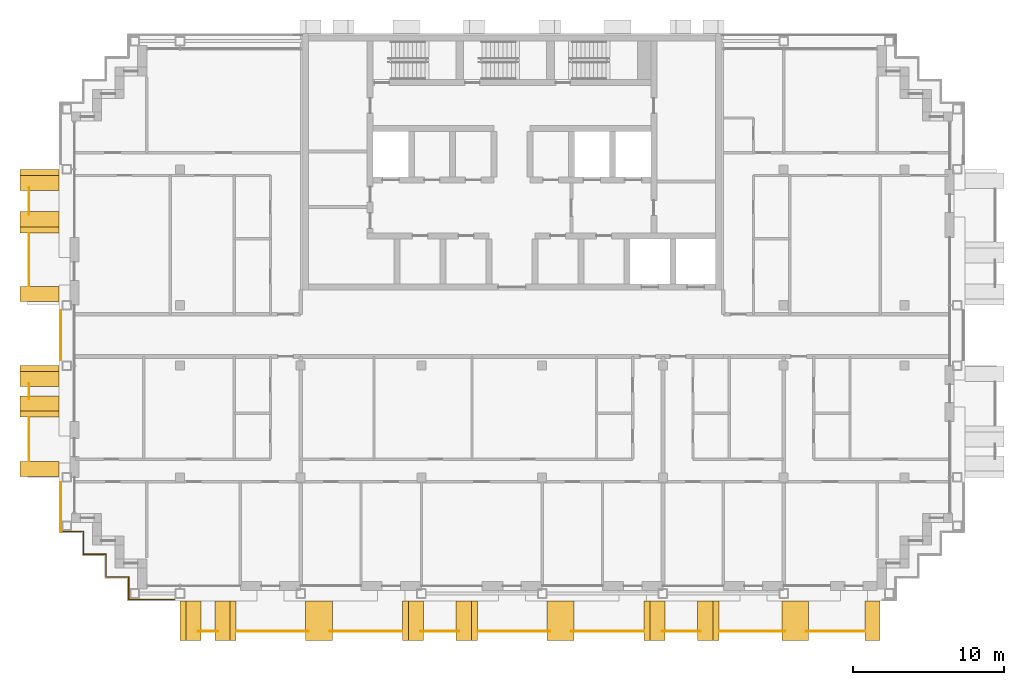
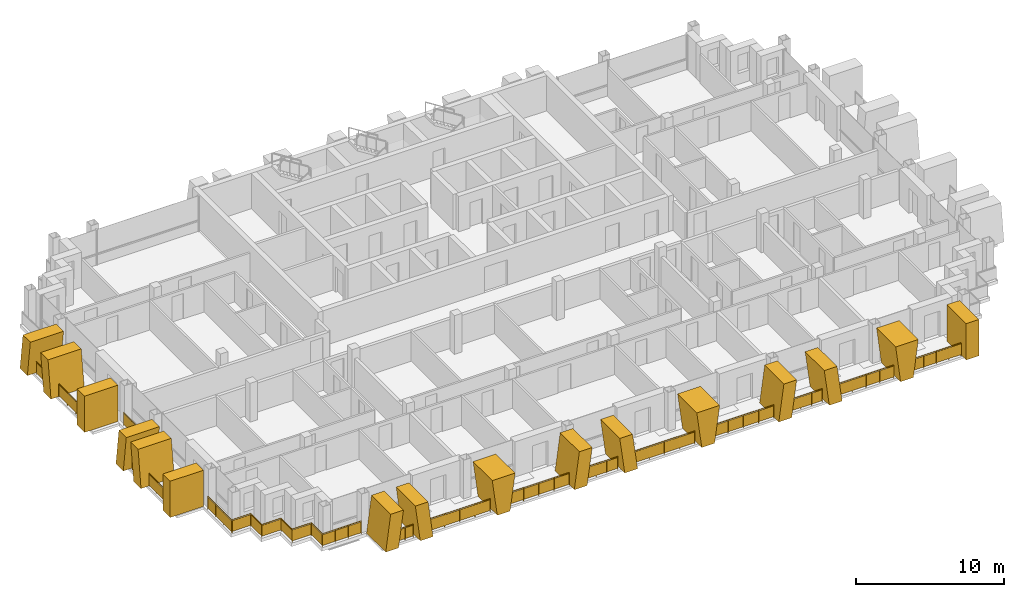
# One storey, part 13 of 16: 16 railings, 16 shading devices.
"""IFC4 building model written with IfcOpenShell, lengths in metres."""

from ifc_helpers import new_model, si_unit, direction, frame, origin, origin_2d, place, context, subcontext, project, spatial, polyline, rectangle, circle, outline, extrude, material, layer, layer_set, type_object, element, save


model = new_model("IFC4")

# Units and contexts
model_context = context("Model", 3, precision=1e-05, world=origin(), true_north=direction((0.0, 1.0)))
body_context = subcontext(model_context, "Body", "Model", "MODEL_VIEW")
ifc_project = project(units=[si_unit("LENGTHUNIT", "METRE"), si_unit("AREAUNIT", "SQUARE_METRE"), si_unit("VOLUMEUNIT", "CUBIC_METRE"), si_unit("PLANEANGLEUNIT", "RADIAN"), si_unit("MASSUNIT", "GRAM", prefix="KILO")], contexts=[model_context])

# Site, building, storey
site_placement = place(None, origin())
site = spatial("IfcSite", under=ifc_project, at=site_placement, CompositionType="ELEMENT")
building_placement = place(site_placement, origin())
building = spatial("IfcBuilding", under=site, at=building_placement, Name="Vidyagriha Tower", CompositionType="ELEMENT")
storey_placement = place(building_placement, frame((0.0, 0.0, 207.60009765625)))
storey = spatial("IfcBuildingStorey", under=building, at=storey_placement, Name="L53", CompositionType="ELEMENT", Elevation=207.60009765625)

# Railings
ifc_material_1 = material(Name="Steel ASTM A500 Grade C black painted", Category="steel")
railing_type_1 = type_object("IfcRailingType", Name="Balcony guard 1100", PredefinedType="BALUSTRADE", material=ifc_material_1)
railing_1_placement = place(storey_placement, frame((-32.0, 9.796630859375, 0.0)))
element("IfcRailing", 1, at=railing_1_placement, inside=storey, type_object=railing_type_1, Name="Balcony guard L53 R16.1-1", PredefinedType="BALUSTRADE", context=body_context, shape_type="SweptSolid", body=[
    extrude(circle(Radius=0.02490234375, at=origin_2d()), frame((0.0, 0.0, 1.0751953125), z_axis=(0.0, -1.0, 0.0), x_axis=(1.0, 0.0, 0.0)), (0.0, 0.0, 1.0), 1.793212890625),
    extrude(circle(Radius=0.02001953125, at=origin_2d()), origin(), (0.0, 0.0, 1.0), 1.050048828125),
    extrude(circle(Radius=0.02001953125, at=origin_2d()), frame((0.0, -0.896484375, 0.0)), (0.0, 0.0, 1.0), 1.050048828125),
    extrude(circle(Radius=0.02001953125, at=origin_2d()), frame((0.0, -1.793212890625, 0.0)), (0.0, 0.0, 1.0), 1.050048828125),
    extrude(rectangle(XDim=0.010009765625, YDim=0.900146484375, at=origin_2d()), frame((0.0, 0.0, 0.550048828125), z_axis=(0.0, -1.0, 0.0), x_axis=(1.0, 0.0, 0.0)), (0.0, 0.0, 1.0), 1.793212890625),
])
railing_2_placement = place(storey_placement, frame((-32.0, 6.75, 0.0)))
element("IfcRailing", 2, at=railing_2_placement, inside=storey, type_object=railing_type_1, Name="Balcony guard L53 R16.1-2", PredefinedType="BALUSTRADE", context=body_context, shape_type="SweptSolid", body=[
    extrude(circle(Radius=0.02490234375, at=origin_2d()), frame((0.0, 0.0, 1.0751953125), z_axis=(0.0, -1.0, 0.0), x_axis=(1.0, 0.0, 0.0)), (0.0, 0.0, 1.0), 3.449951171875),
    extrude(circle(Radius=0.02001953125, at=origin_2d()), origin(), (0.0, 0.0, 1.0), 1.050048828125),
    extrude(circle(Radius=0.02001953125, at=origin_2d()), frame((0.0, -1.14990234375, 0.0)), (0.0, 0.0, 1.0), 1.050048828125),
    extrude(circle(Radius=0.02001953125, at=origin_2d()), frame((0.0, -2.300048828125, 0.0)), (0.0, 0.0, 1.0), 1.050048828125),
    extrude(circle(Radius=0.02001953125, at=origin_2d()), frame((0.0, -3.449951171875, 0.0)), (0.0, 0.0, 1.0), 1.050048828125),
    extrude(rectangle(XDim=0.010009765625, YDim=0.900146484375, at=origin_2d()), frame((0.0, 0.0, 0.550048828125), z_axis=(0.0, -1.0, 0.0), x_axis=(1.0, 0.0, 0.0)), (0.0, 0.0, 1.0), 3.449951171875),
])
railing_3_placement = place(storey_placement, frame((-32.0, -3.203369140625, 0.0)))
element("IfcRailing", 3, at=railing_3_placement, inside=storey, type_object=railing_type_1, Name="Balcony guard L53 R16.2-1", PredefinedType="BALUSTRADE", context=body_context, shape_type="SweptSolid", body=[
    extrude(circle(Radius=0.02490234375, at=origin_2d()), frame((0.0, 0.0, 1.0751953125), z_axis=(0.0, -1.0, 0.0), x_axis=(1.0, 0.0, 0.0)), (0.0, 0.0, 1.0), 0.993408203125),
    extrude(circle(Radius=0.02001953125, at=origin_2d()), origin(), (0.0, 0.0, 1.0), 1.050048828125),
    extrude(circle(Radius=0.02001953125, at=origin_2d()), frame((0.0, -0.993408203125, 0.0)), (0.0, 0.0, 1.0), 1.050048828125),
    extrude(rectangle(XDim=0.010009765625, YDim=0.900146484375, at=origin_2d()), frame((0.0, 0.0, 0.550048828125), z_axis=(0.0, -1.0, 0.0), x_axis=(1.0, 0.0, 0.0)), (0.0, 0.0, 1.0), 0.993408203125),
])
railing_4_placement = place(storey_placement, frame((-32.0, -5.449951171875, 0.0)))
element("IfcRailing", 4, at=railing_4_placement, inside=storey, type_object=railing_type_1, Name="Balcony guard L53 R16.2-2", PredefinedType="BALUSTRADE", context=body_context, shape_type="SweptSolid", body=[
    extrude(circle(Radius=0.02490234375, at=origin_2d()), frame((0.0, 0.0, 1.0751953125), z_axis=(0.0, -1.0, 0.0), x_axis=(1.0, 0.0, 0.0)), (0.0, 0.0, 1.0), 2.85009765625),
    extrude(circle(Radius=0.02001953125, at=origin_2d()), origin(), (0.0, 0.0, 1.0), 1.050048828125),
    extrude(circle(Radius=0.02001953125, at=origin_2d()), frame((0.0, -0.949951171875, 0.0)), (0.0, 0.0, 1.0), 1.050048828125),
    extrude(circle(Radius=0.02001953125, at=origin_2d()), frame((0.0, -1.900146484375, 0.0)), (0.0, 0.0, 1.0), 1.050048828125),
    extrude(circle(Radius=0.02001953125, at=origin_2d()), frame((0.0, -2.85009765625, 0.0)), (0.0, 0.0, 1.0), 1.050048828125),
    extrude(rectangle(XDim=0.010009765625, YDim=0.900146484375, at=origin_2d()), frame((0.0, 0.0, 0.550048828125), z_axis=(0.0, -1.0, 0.0), x_axis=(1.0, 0.0, 0.0)), (0.0, 0.0, 1.0), 2.85009765625),
])
railing_5_placement = place(storey_placement, frame((-20.80224609375, -19.60009765625, 0.0)))
element("IfcRailing", 5, at=railing_5_placement, inside=storey, type_object=railing_type_1, Name="Balcony guard L53 R23.1-1", PredefinedType="BALUSTRADE", context=body_context, shape_type="SweptSolid", body=[
    extrude(circle(Radius=0.02490234375, at=origin_2d()), frame((0.0, 0.0, 1.0751953125), z_axis=(1.0, 0.0, 0.0), x_axis=(0.0, 1.0, 0.0)), (0.0, 0.0, 1.0), 1.304443359375),
    extrude(circle(Radius=0.02001953125, at=origin_2d()), origin(), (0.0, 0.0, 1.0), 1.050048828125),
    extrude(circle(Radius=0.02001953125, at=origin_2d()), frame((0.65234375, 0.0, 0.0)), (0.0, 0.0, 1.0), 1.050048828125),
    extrude(circle(Radius=0.02001953125, at=origin_2d()), frame((1.304443359375, 0.0, 0.0)), (0.0, 0.0, 1.0), 1.050048828125),
    extrude(rectangle(XDim=0.010009765625, YDim=0.900146484375, at=origin_2d()), frame((0.0, 0.0, 0.550048828125), z_axis=(1.0, 0.0, 0.0), x_axis=(0.0, 1.0, 0.0)), (0.0, 0.0, 1.0), 1.304443359375),
])
railing_6_placement = place(storey_placement, frame((-18.25, -19.60009765625, 0.0)))
element("IfcRailing", 6, at=railing_6_placement, inside=storey, type_object=railing_type_1, Name="Balcony guard L53 R23.1-2", PredefinedType="BALUSTRADE", context=body_context, shape_type="SweptSolid", body=[
    extrude(circle(Radius=0.02490234375, at=origin_2d()), frame((0.0, 0.0, 1.0751953125), z_axis=(1.0, 0.0, 0.0), x_axis=(0.0, 1.0, 0.0)), (0.0, 0.0, 1.0), 4.773681640625),
    extrude(circle(Radius=0.02001953125, at=origin_2d()), origin(), (0.0, 0.0, 1.0), 1.050048828125),
    extrude(circle(Radius=0.02001953125, at=origin_2d()), frame((1.193359375, 0.0, 0.0)), (0.0, 0.0, 1.0), 1.050048828125),
    extrude(circle(Radius=0.02001953125, at=origin_2d()), frame((2.38671875, 0.0, 0.0)), (0.0, 0.0, 1.0), 1.050048828125),
    extrude(circle(Radius=0.02001953125, at=origin_2d()), frame((3.580322265625, 0.0, 0.0)), (0.0, 0.0, 1.0), 1.050048828125),
    extrude(circle(Radius=0.02001953125, at=origin_2d()), frame((4.773681640625, 0.0, 0.0)), (0.0, 0.0, 1.0), 1.050048828125),
    extrude(rectangle(XDim=0.010009765625, YDim=0.900146484375, at=origin_2d()), frame((0.0, 0.0, 0.550048828125), z_axis=(1.0, 0.0, 0.0), x_axis=(0.0, 1.0, 0.0)), (0.0, 0.0, 1.0), 4.773681640625),
])
railing_7_placement = place(storey_placement, frame((-12.073486328125, -19.60009765625, 0.0)))
element("IfcRailing", 7, at=railing_7_placement, inside=storey, type_object=railing_type_1, Name="Balcony guard L53 R23.1-3", PredefinedType="BALUSTRADE", context=body_context, shape_type="SweptSolid", body=[
    extrude(circle(Radius=0.02490234375, at=origin_2d()), frame((0.0, 0.0, 1.0751953125), z_axis=(1.0, 0.0, 0.0), x_axis=(0.0, 1.0, 0.0)), (0.0, 0.0, 1.0), 4.7734375),
    extrude(circle(Radius=0.02001953125, at=origin_2d()), origin(), (0.0, 0.0, 1.0), 1.050048828125),
    extrude(circle(Radius=0.02001953125, at=origin_2d()), frame((1.193359375, 0.0, 0.0)), (0.0, 0.0, 1.0), 1.050048828125),
    extrude(circle(Radius=0.02001953125, at=origin_2d()), frame((2.38671875, 0.0, 0.0)), (0.0, 0.0, 1.0), 1.050048828125),
    extrude(circle(Radius=0.02001953125, at=origin_2d()), frame((3.580078125, 0.0, 0.0)), (0.0, 0.0, 1.0), 1.050048828125),
    extrude(circle(Radius=0.02001953125, at=origin_2d()), frame((4.7734375, 0.0, 0.0)), (0.0, 0.0, 1.0), 1.050048828125),
    extrude(rectangle(XDim=0.010009765625, YDim=0.900146484375, at=origin_2d()), frame((0.0, 0.0, 0.550048828125), z_axis=(1.0, 0.0, 0.0), x_axis=(0.0, 1.0, 0.0)), (0.0, 0.0, 1.0), 4.7734375),
])
railing_8_placement = place(storey_placement, frame((-6.048583984375, -19.60009765625, 0.0)))
element("IfcRailing", 8, at=railing_8_placement, inside=storey, type_object=railing_type_1, Name="Balcony guard L53 R23.1-4", PredefinedType="BALUSTRADE", context=body_context, shape_type="SweptSolid", body=[
    extrude(circle(Radius=0.02490234375, at=origin_2d()), frame((0.0, 0.0, 1.0751953125), z_axis=(1.0, 0.0, 0.0), x_axis=(0.0, 1.0, 0.0)), (0.0, 0.0, 1.0), 2.547119140625),
    extrude(circle(Radius=0.02001953125, at=origin_2d()), origin(), (0.0, 0.0, 1.0), 1.050048828125),
    extrude(circle(Radius=0.02001953125, at=origin_2d()), frame((0.84912109375, 0.0, 0.0)), (0.0, 0.0, 1.0), 1.050048828125),
    extrude(circle(Radius=0.02001953125, at=origin_2d()), frame((1.697998046875, 0.0, 0.0)), (0.0, 0.0, 1.0), 1.050048828125),
    extrude(circle(Radius=0.02001953125, at=origin_2d()), frame((2.547119140625, 0.0, 0.0)), (0.0, 0.0, 1.0), 1.050048828125),
    extrude(rectangle(XDim=0.010009765625, YDim=0.900146484375, at=origin_2d()), frame((0.0, 0.0, 0.550048828125), z_axis=(1.0, 0.0, 0.0), x_axis=(0.0, 1.0, 0.0)), (0.0, 0.0, 1.0), 2.547119140625),
])
railing_9_placement = place(storey_placement, frame((-2.25, -19.60009765625, 0.0)))
element("IfcRailing", 9, at=railing_9_placement, inside=storey, type_object=railing_type_1, Name="Balcony guard L53 R23.1-5", PredefinedType="BALUSTRADE", context=body_context, shape_type="SweptSolid", body=[
    extrude(circle(Radius=0.02490234375, at=origin_2d()), frame((0.0, 0.0, 1.0751953125), z_axis=(1.0, 0.0, 0.0), x_axis=(0.0, 1.0, 0.0)), (0.0, 0.0, 1.0), 4.773681640625),
    extrude(circle(Radius=0.02001953125, at=origin_2d()), origin(), (0.0, 0.0, 1.0), 1.050048828125),
    extrude(circle(Radius=0.02001953125, at=origin_2d()), frame((1.193359375, 0.0, 0.0)), (0.0, 0.0, 1.0), 1.050048828125),
    extrude(circle(Radius=0.02001953125, at=origin_2d()), frame((2.38671875, 0.0, 0.0)), (0.0, 0.0, 1.0), 1.050048828125),
    extrude(circle(Radius=0.02001953125, at=origin_2d()), frame((3.580322265625, 0.0, 0.0)), (0.0, 0.0, 1.0), 1.050048828125),
    extrude(circle(Radius=0.02001953125, at=origin_2d()), frame((4.773681640625, 0.0, 0.0)), (0.0, 0.0, 1.0), 1.050048828125),
    extrude(rectangle(XDim=0.010009765625, YDim=0.900146484375, at=origin_2d()), frame((0.0, 0.0, 0.550048828125), z_axis=(1.0, 0.0, 0.0), x_axis=(0.0, 1.0, 0.0)), (0.0, 0.0, 1.0), 4.773681640625),
])
railing_10_placement = place(storey_placement, frame((3.926513671875, -19.60009765625, 0.0)))
element("IfcRailing", 10, at=railing_10_placement, inside=storey, type_object=railing_type_1, Name="Balcony guard L53 R23.1-6", PredefinedType="BALUSTRADE", context=body_context, shape_type="SweptSolid", body=[
    extrude(circle(Radius=0.02490234375, at=origin_2d()), frame((0.0, 0.0, 1.0751953125), z_axis=(1.0, 0.0, 0.0), x_axis=(0.0, 1.0, 0.0)), (0.0, 0.0, 1.0), 4.7734375),
    extrude(circle(Radius=0.02001953125, at=origin_2d()), origin(), (0.0, 0.0, 1.0), 1.050048828125),
    extrude(circle(Radius=0.02001953125, at=origin_2d()), frame((1.193359375, 0.0, 0.0)), (0.0, 0.0, 1.0), 1.050048828125),
    extrude(circle(Radius=0.02001953125, at=origin_2d()), frame((2.38671875, 0.0, 0.0)), (0.0, 0.0, 1.0), 1.050048828125),
    extrude(circle(Radius=0.02001953125, at=origin_2d()), frame((3.580078125, 0.0, 0.0)), (0.0, 0.0, 1.0), 1.050048828125),
    extrude(circle(Radius=0.02001953125, at=origin_2d()), frame((4.7734375, 0.0, 0.0)), (0.0, 0.0, 1.0), 1.050048828125),
    extrude(rectangle(XDim=0.010009765625, YDim=0.900146484375, at=origin_2d()), frame((0.0, 0.0, 0.550048828125), z_axis=(1.0, 0.0, 0.0), x_axis=(0.0, 1.0, 0.0)), (0.0, 0.0, 1.0), 4.7734375),
])
railing_11_placement = place(storey_placement, frame((9.951416015625, -19.60009765625, 0.0)))
element("IfcRailing", 11, at=railing_11_placement, inside=storey, type_object=railing_type_1, Name="Balcony guard L53 R23.1-7", PredefinedType="BALUSTRADE", context=body_context, shape_type="SweptSolid", body=[
    extrude(circle(Radius=0.02490234375, at=origin_2d()), frame((0.0, 0.0, 1.0751953125), z_axis=(1.0, 0.0, 0.0), x_axis=(0.0, 1.0, 0.0)), (0.0, 0.0, 1.0), 2.547119140625),
    extrude(circle(Radius=0.02001953125, at=origin_2d()), origin(), (0.0, 0.0, 1.0), 1.050048828125),
    extrude(circle(Radius=0.02001953125, at=origin_2d()), frame((0.84912109375, 0.0, 0.0)), (0.0, 0.0, 1.0), 1.050048828125),
    extrude(circle(Radius=0.02001953125, at=origin_2d()), frame((1.697998046875, 0.0, 0.0)), (0.0, 0.0, 1.0), 1.050048828125),
    extrude(circle(Radius=0.02001953125, at=origin_2d()), frame((2.547119140625, 0.0, 0.0)), (0.0, 0.0, 1.0), 1.050048828125),
    extrude(rectangle(XDim=0.010009765625, YDim=0.900146484375, at=origin_2d()), frame((0.0, 0.0, 0.550048828125), z_axis=(1.0, 0.0, 0.0), x_axis=(0.0, 1.0, 0.0)), (0.0, 0.0, 1.0), 2.547119140625),
])
railing_12_placement = place(storey_placement, frame((13.75, -19.60009765625, 0.0)))
element("IfcRailing", 12, at=railing_12_placement, inside=storey, type_object=railing_type_1, Name="Balcony guard L53 R23.1-8", PredefinedType="BALUSTRADE", context=body_context, shape_type="SweptSolid", body=[
    extrude(circle(Radius=0.02490234375, at=origin_2d()), frame((0.0, 0.0, 1.0751953125), z_axis=(1.0, 0.0, 0.0), x_axis=(0.0, 1.0, 0.0)), (0.0, 0.0, 1.0), 4.328857421875),
    extrude(circle(Radius=0.02001953125, at=origin_2d()), origin(), (0.0, 0.0, 1.0), 1.050048828125),
    extrude(circle(Radius=0.02001953125, at=origin_2d()), frame((1.082275390625, 0.0, 0.0)), (0.0, 0.0, 1.0), 1.050048828125),
    extrude(circle(Radius=0.02001953125, at=origin_2d()), frame((2.16455078125, 0.0, 0.0)), (0.0, 0.0, 1.0), 1.050048828125),
    extrude(circle(Radius=0.02001953125, at=origin_2d()), frame((3.24658203125, 0.0, 0.0)), (0.0, 0.0, 1.0), 1.050048828125),
    extrude(circle(Radius=0.02001953125, at=origin_2d()), frame((4.328857421875, 0.0, 0.0)), (0.0, 0.0, 1.0), 1.050048828125),
    extrude(rectangle(XDim=0.010009765625, YDim=0.900146484375, at=origin_2d()), frame((0.0, 0.0, 0.550048828125), z_axis=(1.0, 0.0, 0.0), x_axis=(0.0, 1.0, 0.0)), (0.0, 0.0, 1.0), 4.328857421875),
])
railing_13_placement = place(storey_placement, frame((19.47119140625, -19.60009765625, 0.0)))
element("IfcRailing", 13, at=railing_13_placement, inside=storey, type_object=railing_type_1, Name="Balcony guard L53 R23.1-9", PredefinedType="BALUSTRADE", context=body_context, shape_type="SweptSolid", body=[
    extrude(circle(Radius=0.02490234375, at=origin_2d()), frame((0.0, 0.0, 1.0751953125), z_axis=(1.0, 0.0, 0.0), x_axis=(0.0, 1.0, 0.0)), (0.0, 0.0, 1.0), 3.87890625),
    extrude(circle(Radius=0.02001953125, at=origin_2d()), origin(), (0.0, 0.0, 1.0), 1.050048828125),
    extrude(circle(Radius=0.02001953125, at=origin_2d()), frame((0.9697265625, 0.0, 0.0)), (0.0, 0.0, 1.0), 1.050048828125),
    extrude(circle(Radius=0.02001953125, at=origin_2d()), frame((1.939453125, 0.0, 0.0)), (0.0, 0.0, 1.0), 1.050048828125),
    extrude(circle(Radius=0.02001953125, at=origin_2d()), frame((2.9091796875, 0.0, 0.0)), (0.0, 0.0, 1.0), 1.050048828125),
    extrude(circle(Radius=0.02001953125, at=origin_2d()), frame((3.87890625, 0.0, 0.0)), (0.0, 0.0, 1.0), 1.050048828125),
    extrude(rectangle(XDim=0.010009765625, YDim=0.900146484375, at=origin_2d()), frame((0.0, 0.0, 0.550048828125), z_axis=(1.0, 0.0, 0.0), x_axis=(0.0, 1.0, 0.0)), (0.0, 0.0, 1.0), 3.87890625),
])

# Shading devices
ifc_material_2 = material(Name="Precast concrete C40/50 with buff brick facing", Category="concrete")
ifc_layer_1 = layer(ifc_material_2, 1.0)
ifc_layer_set_1 = layer_set([ifc_layer_1], Name="Precast concrete C40/50 with buff brick facing")
shading_device_type_1 = type_object("IfcShadingDeviceType", Name="Brick-faced blade fin arm leaning 8 degrees", PredefinedType="USERDEFINED", material=ifc_layer_set_1)
shading_device_1_placement = place(storey_placement, frame((-31.300048828125, 11.0, 0.0), z_axis=(0.0, 0.0, 1.0), x_axis=(0.0, -1.0, 0.0)))
element("IfcShadingDevice", 14, at=shading_device_1_placement, inside=storey, type_object=shading_device_type_1, Name="Leaning blade fin L53 R16.320a", ObjectType="BLADE FIN", PredefinedType="USERDEFINED", context=body_context, shape_type="SweptSolid", body=[
    extrude(outline(polyline([(0.0, 0.0), (1.0, 0.0), (1.39990234375, 3.0), (0.39990234375, 3.0), (0.0, 0.0)])), frame((0.0, 1.300048828125, 0.0), z_axis=(0.0, -1.0, 0.0), x_axis=(1.0, 0.0, 0.0)), (0.0, 0.0, 1.0), 2.60009765625),
])
shading_device_2_placement = place(storey_placement, frame((-31.300048828125, 8.199951171875, 0.0), z_axis=(0.0, 0.0, 1.0), x_axis=(0.0, -1.0, 0.0)))
element("IfcShadingDevice", 15, at=shading_device_2_placement, inside=storey, type_object=shading_device_type_1, Name="Leaning blade fin L53 R16.320b", ObjectType="BLADE FIN", PredefinedType="USERDEFINED", context=body_context, shape_type="SweptSolid", body=[
    extrude(outline(polyline([(0.39990234375, 0.0), (1.39990234375, 0.0), (1.0, 3.0), (0.0, 3.0), (0.39990234375, 0.0)])), frame((0.0, 1.300048828125, 0.0), z_axis=(0.0, -1.0, 0.0), x_axis=(1.0, 0.0, 0.0)), (0.0, 0.0, 1.0), 2.60009765625),
])
shading_device_3_placement = place(storey_placement, frame((-31.300048828125, -2.0, 0.0), z_axis=(0.0, 0.0, 1.0), x_axis=(0.0, -1.0, 0.0)))
element("IfcShadingDevice", 16, at=shading_device_3_placement, inside=storey, type_object=shading_device_type_1, Name="Leaning blade fin L53 R16.1620a", ObjectType="BLADE FIN", PredefinedType="USERDEFINED", context=body_context, shape_type="SweptSolid", body=[
    extrude(outline(polyline([(0.0, 0.0), (1.0, 0.0), (1.39990234375, 3.0), (0.39990234375, 3.0), (0.0, 0.0)])), frame((0.0, 1.300048828125, 0.0), z_axis=(0.0, -1.0, 0.0), x_axis=(1.0, 0.0, 0.0)), (0.0, 0.0, 1.0), 2.60009765625),
])
shading_device_4_placement = place(storey_placement, frame((-31.300048828125, -4.0, 0.0), z_axis=(0.0, 0.0, 1.0), x_axis=(0.0, -1.0, 0.0)))
element("IfcShadingDevice", 17, at=shading_device_4_placement, inside=storey, type_object=shading_device_type_1, Name="Leaning blade fin L53 R16.1620b", ObjectType="BLADE FIN", PredefinedType="USERDEFINED", context=body_context, shape_type="SweptSolid", body=[
    extrude(outline(polyline([(0.39990234375, 0.0), (1.39990234375, 0.0), (1.0, 3.0), (0.0, 3.0), (0.39990234375, 0.0)])), frame((0.0, 1.300048828125, 0.0), z_axis=(0.0, -1.0, 0.0), x_axis=(1.0, 0.0, 0.0)), (0.0, 0.0, 1.0), 2.60009765625),
])
shading_device_5_placement = place(storey_placement, frame((-22.0, -18.89990234375, 0.0)))
element("IfcShadingDevice", 18, at=shading_device_5_placement, inside=storey, type_object=shading_device_type_1, Name="Leaning blade fin L53 R23.220a", ObjectType="BLADE FIN", PredefinedType="USERDEFINED", context=body_context, shape_type="SweptSolid", body=[
    extrude(outline(polyline([(0.0, 0.0), (1.0, 0.0), (1.3857421875, 3.0), (0.3857421875, 3.0), (0.0, 0.0)])), frame((0.0, 1.300048828125, 0.0), z_axis=(0.0, -1.0, 0.0), x_axis=(1.0, 0.0, 0.0)), (0.0, 0.0, 1.0), 2.60009765625),
])
shading_device_6_placement = place(storey_placement, frame((-19.685791015625, -18.89990234375, 0.0)))
element("IfcShadingDevice", 19, at=shading_device_6_placement, inside=storey, type_object=shading_device_type_1, Name="Leaning blade fin L53 R23.220b", ObjectType="BLADE FIN", PredefinedType="USERDEFINED", context=body_context, shape_type="SweptSolid", body=[
    extrude(outline(polyline([(0.3857421875, 0.0), (1.3857421875, 0.0), (1.0, 3.0), (0.0, 3.0), (0.3857421875, 0.0)])), frame((0.0, 1.300048828125, 0.0), z_axis=(0.0, -1.0, 0.0), x_axis=(1.0, 0.0, 0.0)), (0.0, 0.0, 1.0), 2.60009765625),
])
shading_device_7_placement = place(storey_placement, frame((-7.25, -18.89990234375, 0.0)))
element("IfcShadingDevice", 20, at=shading_device_7_placement, inside=storey, type_object=shading_device_type_1, Name="Leaning blade fin L53 R23.1820a", ObjectType="BLADE FIN", PredefinedType="USERDEFINED", context=body_context, shape_type="SweptSolid", body=[
    extrude(outline(polyline([(0.0, 0.0), (1.0, 0.0), (1.39501953125, 3.0), (0.39501953125, 3.0), (0.0, 0.0)])), frame((0.0, 1.300048828125, 0.0), z_axis=(0.0, -1.0, 0.0), x_axis=(1.0, 0.0, 0.0)), (0.0, 0.0, 1.0), 2.60009765625),
])
shading_device_8_placement = place(storey_placement, frame((-3.695068359375, -18.89990234375, 0.0)))
element("IfcShadingDevice", 21, at=shading_device_8_placement, inside=storey, type_object=shading_device_type_1, Name="Leaning blade fin L53 R23.1820b", ObjectType="BLADE FIN", PredefinedType="USERDEFINED", context=body_context, shape_type="SweptSolid", body=[
    extrude(outline(polyline([(0.39501953125, 0.0), (1.39501953125, 0.0), (1.0, 3.0), (0.0, 3.0), (0.39501953125, 0.0)])), frame((0.0, 1.300048828125, 0.0), z_axis=(0.0, -1.0, 0.0), x_axis=(1.0, 0.0, 0.0)), (0.0, 0.0, 1.0), 2.60009765625),
])
shading_device_9_placement = place(storey_placement, frame((8.75, -18.89990234375, 0.0)))
element("IfcShadingDevice", 22, at=shading_device_9_placement, inside=storey, type_object=shading_device_type_1, Name="Leaning blade fin L53 R23.3420a", ObjectType="BLADE FIN", PredefinedType="USERDEFINED", context=body_context, shape_type="SweptSolid", body=[
    extrude(outline(polyline([(0.0, 0.0), (1.0, 0.0), (1.39501953125, 3.0), (0.39501953125, 3.0), (0.0, 0.0)])), frame((0.0, 1.300048828125, 0.0), z_axis=(0.0, -1.0, 0.0), x_axis=(1.0, 0.0, 0.0)), (0.0, 0.0, 1.0), 2.60009765625),
])
shading_device_10_placement = place(storey_placement, frame((12.304931640625, -18.89990234375, 0.0)))
element("IfcShadingDevice", 23, at=shading_device_10_placement, inside=storey, type_object=shading_device_type_1, Name="Leaning blade fin L53 R23.3420b", ObjectType="BLADE FIN", PredefinedType="USERDEFINED", context=body_context, shape_type="SweptSolid", body=[
    extrude(outline(polyline([(0.39501953125, 0.0), (1.39501953125, 0.0), (1.0, 3.0), (0.0, 3.0), (0.39501953125, 0.0)])), frame((0.0, 1.300048828125, 0.0), z_axis=(0.0, -1.0, 0.0), x_axis=(1.0, 0.0, 0.0)), (0.0, 0.0, 1.0), 2.60009765625),
])
ifc_material_3 = material(Name="Precast concrete C40/50 with buff brick facing", Category="concrete")
ifc_layer_2 = layer(ifc_material_3, 1.0)
ifc_layer_set_2 = layer_set([ifc_layer_2], Name="Precast concrete C40/50 with buff brick facing")
shading_device_type_2 = type_object("IfcShadingDeviceType", Name="Brick-faced blade fin forking 8 degrees", PredefinedType="USERDEFINED", material=ifc_layer_set_2)
for number, where, name in (
    (24, (-13.669921875, -18.89990234375, 0.0), "Forked blade fin L53 R23.1020a"),
    (25, (2.330078125, -18.89990234375, 0.0), "Forked blade fin L53 R23.2620a"),
):
    element("IfcShadingDevice", number, at=place(storey_placement, frame(where)), inside=storey, type_object=shading_device_type_2, Name=name, ObjectType="BLADE FIN", PredefinedType="USERDEFINED", context=body_context, shape_type="SweptSolid", body=[
        extrude(outline(polyline([(0.39501953125, 0.0), (1.39501953125, 0.0), (1.7900390625, 3.0), (0.0, 3.0), (0.39501953125, 0.0)])), frame((0.0, 1.300048828125, 0.0), z_axis=(0.0, -1.0, 0.0), x_axis=(1.0, 0.0, 0.0)), (0.0, 0.0, 1.0), 2.60009765625),
    ])
shading_device_11_placement = place(storey_placement, frame((17.893798828125, -18.89990234375, 0.0)))
element("IfcShadingDevice", 26, at=shading_device_11_placement, inside=storey, type_object=shading_device_type_2, Name="Forked blade fin L53 R23.4220a", ObjectType="BLADE FIN", PredefinedType="USERDEFINED", context=body_context, shape_type="SweptSolid", body=[
    extrude(outline(polyline([(0.381103515625, 0.0), (1.381103515625, 0.0), (1.762451171875, 3.0), (0.0, 3.0), (0.381103515625, 0.0)])), frame((0.0, 1.300048828125, 0.0), z_axis=(0.0, -1.0, 0.0), x_axis=(1.0, 0.0, 0.0)), (0.0, 0.0, 1.0), 2.60009765625),
])
ifc_material_4 = material(Name="Precast concrete C40/50 with buff brick facing", Category="concrete")
ifc_layer_3 = layer(ifc_material_4, 1.0)
ifc_layer_set_3 = layer_set([ifc_layer_3], Name="Precast concrete C40/50 with buff brick facing")
shading_device_type_3 = type_object("IfcShadingDeviceType", Name="Brick-faced blade fin stem 1000", PredefinedType="USERDEFINED", material=ifc_layer_set_3)
for number, where, z_axis, x_axis, name in (
    (27, (-31.300048828125, 3.25, 0.0), (0.0, 0.0, 1.0), (0.0, -1.0, 0.0), "Stem blade fin L53 R16.1220a"),
    (28, (-31.300048828125, -8.35009765625, 0.0), (0.0, 0.0, 1.0), (0.0, -1.0, 0.0), "Stem blade fin L53 R16.2360a"),
):
    element("IfcShadingDevice", number, at=place(storey_placement, frame(where, z_axis=z_axis, x_axis=x_axis)), inside=storey, type_object=shading_device_type_3, Name=name, ObjectType="BLADE FIN", PredefinedType="USERDEFINED", context=body_context, shape_type="SweptSolid", body=[
        extrude(outline(polyline([(0.0, 0.0), (1.0, 0.0), (1.0, 3.0), (0.0, 3.0), (0.0, 0.0)])), frame((0.0, 1.300048828125, 0.0), z_axis=(0.0, -1.0, 0.0), x_axis=(1.0, 0.0, 0.0)), (0.0, 0.0, 1.0), 2.60009765625),
    ])
shading_device_12_placement = place(storey_placement, frame((23.39990234375, -18.89990234375, 0.0)))
element("IfcShadingDevice", 29, at=shading_device_12_placement, inside=storey, type_object=shading_device_type_3, Name="Stem blade fin L53 R23.4840a", ObjectType="BLADE FIN", PredefinedType="USERDEFINED", context=body_context, shape_type="SweptSolid", body=[
    extrude(outline(polyline([(0.0, 0.0), (1.0, 0.0), (1.0, 3.0), (0.0, 3.0), (0.0, 0.0)])), frame((0.0, 1.300048828125, 0.0), z_axis=(0.0, -1.0, 0.0), x_axis=(1.0, 0.0, 0.0)), (0.0, 0.0, 1.0), 2.60009765625),
])

# Railings
ifc_material_5 = material(Name="Steel ASTM A500 Grade C black painted", Category="steel")
railing_type_2 = type_object("IfcRailingType", Name="Gallery guard 1100", PredefinedType="GUARDRAIL", material=ifc_material_5)
railing_14_placement = place(storey_placement, frame((-22.360107421875, -17.5, 0.0)))
element("IfcRailing", 30, at=railing_14_placement, inside=storey, type_object=railing_type_2, Name="Gallery guard L53 1", PredefinedType="GUARDRAIL", context=body_context, shape_type="SweptSolid", body=[
    extrude(circle(Radius=0.02490234375, at=origin_2d()), frame((0.0, 0.0, 1.0751953125), z_axis=(-1.0, 0.0, 0.0), x_axis=(0.0, -1.0, 0.0)), (0.0, 0.0, 1.0), 3.039794921875),
    extrude(circle(Radius=0.02490234375, at=origin_2d()), frame((-3.039794921875, 0.0, 1.0751953125), z_axis=(0.0, 1.0, 0.0), x_axis=(-1.0, 0.0, 0.0)), (0.0, 0.0, 1.0), 1.5),
    extrude(circle(Radius=0.02490234375, at=origin_2d()), frame((-3.039794921875, 1.5, 1.0751953125), z_axis=(-1.0, 0.0, 0.0), x_axis=(0.0, -1.0, 0.0)), (0.0, 0.0, 1.0), 1.5),
    extrude(circle(Radius=0.02490234375, at=origin_2d()), frame((-4.539794921875, 1.5, 1.0751953125), z_axis=(0.0, 1.0, 0.0), x_axis=(-1.0, 0.0, 0.0)), (0.0, 0.0, 1.0), 1.5),
    extrude(circle(Radius=0.02490234375, at=origin_2d()), frame((-4.539794921875, 3.0, 1.0751953125), z_axis=(-1.0, 0.0, 0.0), x_axis=(0.0, -1.0, 0.0)), (0.0, 0.0, 1.0), 1.5),
    extrude(circle(Radius=0.02490234375, at=origin_2d()), frame((-6.039794921875, 3.0, 1.0751953125), z_axis=(0.0, 1.0, 0.0), x_axis=(-1.0, 0.0, 0.0)), (0.0, 0.0, 1.0), 1.5),
    extrude(circle(Radius=0.02490234375, at=origin_2d()), frame((-6.039794921875, 4.5, 1.0751953125), z_axis=(-1.0, 0.0, 0.0), x_axis=(0.0, -1.0, 0.0)), (0.0, 0.0, 1.0), 1.460205078125),
    extrude(circle(Radius=0.02001953125, at=origin_2d()), origin(), (0.0, 0.0, 1.0), 1.050048828125),
    extrude(circle(Radius=0.02001953125, at=origin_2d()), frame((-1.01318359375, 0.0, 0.0)), (0.0, 0.0, 1.0), 1.050048828125),
    extrude(circle(Radius=0.02001953125, at=origin_2d()), frame((-2.026611328125, 0.0, 0.0)), (0.0, 0.0, 1.0), 1.050048828125),
    extrude(circle(Radius=0.02001953125, at=origin_2d()), frame((-3.039794921875, 0.0, 0.0)), (0.0, 0.0, 1.0), 1.050048828125),
    extrude(circle(Radius=0.02001953125, at=origin_2d()), frame((-3.039794921875, 1.5, 0.0)), (0.0, 0.0, 1.0), 1.050048828125),
    extrude(circle(Radius=0.02001953125, at=origin_2d()), frame((-4.539794921875, 1.5, 0.0)), (0.0, 0.0, 1.0), 1.050048828125),
    extrude(circle(Radius=0.02001953125, at=origin_2d()), frame((-4.539794921875, 3.0, 0.0)), (0.0, 0.0, 1.0), 1.050048828125),
    extrude(circle(Radius=0.02001953125, at=origin_2d()), frame((-6.039794921875, 3.0, 0.0)), (0.0, 0.0, 1.0), 1.050048828125),
    extrude(circle(Radius=0.02001953125, at=origin_2d()), frame((-6.039794921875, 4.5, 0.0)), (0.0, 0.0, 1.0), 1.050048828125),
    extrude(circle(Radius=0.02001953125, at=origin_2d()), frame((-7.5, 4.5, 0.0)), (0.0, 0.0, 1.0), 1.050048828125),
    extrude(rectangle(XDim=0.010009765625, YDim=0.900146484375, at=origin_2d()), frame((0.0, 0.0, 0.550048828125), z_axis=(-1.0, 0.0, 0.0), x_axis=(0.0, -1.0, 0.0)), (0.0, 0.0, 1.0), 3.039794921875),
    extrude(rectangle(XDim=0.010009765625, YDim=0.900146484375, at=origin_2d()), frame((-3.039794921875, 0.0, 0.550048828125), z_axis=(0.0, 1.0, 0.0), x_axis=(-1.0, 0.0, 0.0)), (0.0, 0.0, 1.0), 1.5),
    extrude(rectangle(XDim=0.010009765625, YDim=0.900146484375, at=origin_2d()), frame((-3.039794921875, 1.5, 0.550048828125), z_axis=(-1.0, 0.0, 0.0), x_axis=(0.0, -1.0, 0.0)), (0.0, 0.0, 1.0), 1.5),
    extrude(rectangle(XDim=0.010009765625, YDim=0.900146484375, at=origin_2d()), frame((-4.539794921875, 1.5, 0.550048828125), z_axis=(0.0, 1.0, 0.0), x_axis=(-1.0, 0.0, 0.0)), (0.0, 0.0, 1.0), 1.5),
    extrude(rectangle(XDim=0.010009765625, YDim=0.900146484375, at=origin_2d()), frame((-4.539794921875, 3.0, 0.550048828125), z_axis=(-1.0, 0.0, 0.0), x_axis=(0.0, -1.0, 0.0)), (0.0, 0.0, 1.0), 1.5),
    extrude(rectangle(XDim=0.010009765625, YDim=0.900146484375, at=origin_2d()), frame((-6.039794921875, 3.0, 0.550048828125), z_axis=(0.0, 1.0, 0.0), x_axis=(-1.0, 0.0, 0.0)), (0.0, 0.0, 1.0), 1.5),
    extrude(rectangle(XDim=0.010009765625, YDim=0.900146484375, at=origin_2d()), frame((-6.039794921875, 4.5, 0.550048828125), z_axis=(-1.0, 0.0, 0.0), x_axis=(0.0, -1.0, 0.0)), (0.0, 0.0, 1.0), 1.460205078125),
])
railing_15_placement = place(storey_placement, frame((-29.860107421875, -13.0, 0.0)))
element("IfcRailing", 31, at=railing_15_placement, inside=storey, type_object=railing_type_2, Name="Gallery guard L53 2", PredefinedType="GUARDRAIL", context=body_context, shape_type="SweptSolid", body=[
    extrude(circle(Radius=0.02490234375, at=origin_2d()), frame((0.0, 0.0, 1.0751953125), z_axis=(-1.0, 0.0, 0.0), x_axis=(0.0, -1.0, 0.0)), (0.0, 0.0, 1.0), 0.039794921875),
    extrude(circle(Radius=0.02490234375, at=origin_2d()), frame((-0.039794921875, 0.0, 1.0751953125), z_axis=(0.0, 1.0, 0.0), x_axis=(-1.0, 0.0, 0.0)), (0.0, 0.0, 1.0), 3.239990234375),
    extrude(circle(Radius=0.02001953125, at=origin_2d()), origin(), (0.0, 0.0, 1.0), 1.050048828125),
    extrude(circle(Radius=0.02001953125, at=origin_2d()), frame((-0.039794921875, 0.0, 0.0)), (0.0, 0.0, 1.0), 1.050048828125),
    extrude(circle(Radius=0.02001953125, at=origin_2d()), frame((-0.039794921875, 1.080078125, 0.0)), (0.0, 0.0, 1.0), 1.050048828125),
    extrude(circle(Radius=0.02001953125, at=origin_2d()), frame((-0.039794921875, 2.159912109375, 0.0)), (0.0, 0.0, 1.0), 1.050048828125),
    extrude(circle(Radius=0.02001953125, at=origin_2d()), frame((-0.039794921875, 3.239990234375, 0.0)), (0.0, 0.0, 1.0), 1.050048828125),
    extrude(rectangle(XDim=0.010009765625, YDim=0.900146484375, at=origin_2d()), frame((0.0, 0.0, 0.550048828125), z_axis=(-1.0, 0.0, 0.0), x_axis=(0.0, -1.0, 0.0)), (0.0, 0.0, 1.0), 0.039794921875),
    extrude(rectangle(XDim=0.010009765625, YDim=0.900146484375, at=origin_2d()), frame((-0.039794921875, 0.0, 0.550048828125), z_axis=(0.0, 1.0, 0.0), x_axis=(-1.0, 0.0, 0.0)), (0.0, 0.0, 1.0), 3.239990234375),
])
railing_16_placement = place(storey_placement, frame((-29.89990234375, -1.639892578125, 0.0)))
element("IfcRailing", 32, at=railing_16_placement, inside=storey, type_object=railing_type_2, Name="Gallery guard L53 3", PredefinedType="GUARDRAIL", context=body_context, shape_type="SweptSolid", body=[
    extrude(circle(Radius=0.02490234375, at=origin_2d()), frame((0.0, 0.0, 1.0751953125), z_axis=(0.0, 1.0, 0.0), x_axis=(-1.0, 0.0, 0.0)), (0.0, 0.0, 1.0), 3.27978515625),
    extrude(circle(Radius=0.02001953125, at=origin_2d()), origin(), (0.0, 0.0, 1.0), 1.050048828125),
    extrude(circle(Radius=0.02001953125, at=origin_2d()), frame((0.0, 1.09326171875, 0.0)), (0.0, 0.0, 1.0), 1.050048828125),
    extrude(circle(Radius=0.02001953125, at=origin_2d()), frame((0.0, 2.1865234375, 0.0)), (0.0, 0.0, 1.0), 1.050048828125),
    extrude(circle(Radius=0.02001953125, at=origin_2d()), frame((0.0, 3.27978515625, 0.0)), (0.0, 0.0, 1.0), 1.050048828125),
    extrude(rectangle(XDim=0.010009765625, YDim=0.900146484375, at=origin_2d()), frame((0.0, 0.0, 0.550048828125), z_axis=(0.0, 1.0, 0.0), x_axis=(-1.0, 0.0, 0.0)), (0.0, 0.0, 1.0), 3.27978515625),
])

save(model, "model.ifc")
